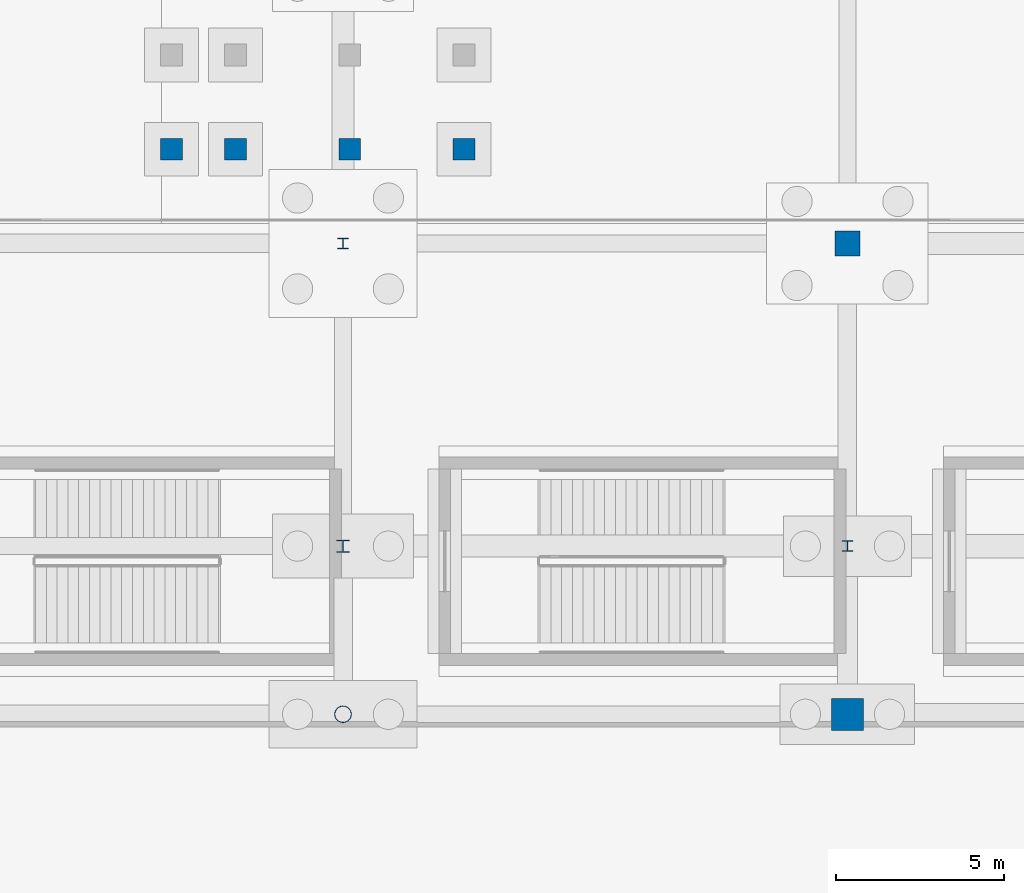
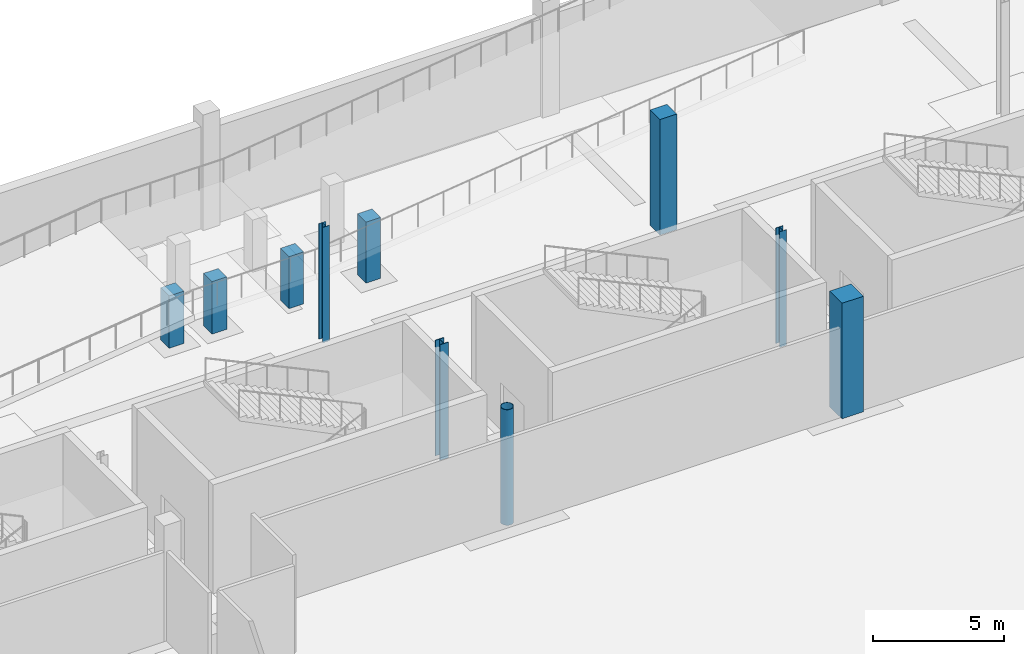
# One storey, part 23 of 58: 10 columns.
"""IFC4 building model written with IfcOpenShell, lengths in metres."""

from ifc_helpers import new_model, si_unit, direction, frame, origin, origin_2d, place, context, subcontext, project, spatial, rectangle, hollow_circle, i_section, extrude, material, material_profile, profile_set, type_object, element, save


model = new_model("IFC4")

# Units and contexts
model_context = context("Model", 3, precision=1e-05, world=origin(), true_north=direction((0.0, 1.0)))
body_context = subcontext(model_context, "Body", "Model", "MODEL_VIEW")
ifc_project = project(units=[si_unit("LENGTHUNIT", "METRE"), si_unit("AREAUNIT", "SQUARE_METRE"), si_unit("VOLUMEUNIT", "CUBIC_METRE"), si_unit("PLANEANGLEUNIT", "RADIAN"), si_unit("MASSUNIT", "GRAM", prefix="KILO")], contexts=[model_context])

# Site, building, storey
site_placement = place(None, origin())
site = spatial("IfcSite", under=ifc_project, at=site_placement, CompositionType="ELEMENT")
building_placement = place(site_placement, origin())
building = spatial("IfcBuilding", under=site, at=building_placement, Name="Qamarlyn Nura Convention Centre", CompositionType="ELEMENT")
storey_placement = place(building_placement, frame((0.0, 0.0, -5.39990234375)))
storey = spatial("IfcBuildingStorey", under=building, at=storey_placement, Name="B01", CompositionType="ELEMENT", Elevation=-5.39990234375)

# Columns
ifc_material_1 = material(Name="Pearl-white PVDF steel ASTM A500 Grade C", Category="steel")
ifc_material_profile_1 = material_profile(ifc_material_1, hollow_circle(Radius=0.25390625, WallThickness=0.02001953125, at=origin_2d()), Name="CHS508X20")
ifc_profile_set_1 = profile_set([ifc_material_profile_1], Name="Pearl-white PVDF steel ASTM A500 Grade C")
column_type_1 = type_object("IfcColumnType", Name="COL-HALL-1", PredefinedType="COLUMN", material=ifc_profile_set_1)
column_1_placement = place(storey_placement, frame((45.0, 103.0, 0.0), z_axis=(0.0, 0.0, 1.0), x_axis=(1.0, 0.0, 0.0)))
element("IfcColumn", 1, at=column_1_placement, inside=storey, type_object=column_type_1, Name="B01 column 4/M", PredefinedType="COLUMN", context=body_context, shape_type="SweptSolid", body=[
    extrude(hollow_circle(Radius=0.25390625, WallThickness=0.02001953125, at=origin_2d()), origin(), (0.0, 0.0, 1.0), 5.39990234375),
])
ifc_material_2 = material(Name="Concrete C50/60", Category="concrete")
ifc_material_profile_2 = material_profile(ifc_material_2, rectangle(XDim=0.949951171875, YDim=0.949951171875, at=origin_2d()), Name="RC 950x950")
ifc_profile_set_2 = profile_set([ifc_material_profile_2], Name="Concrete C50/60")
column_type_2 = type_object("IfcColumnType", Name="COL-HALL-2", PredefinedType="COLUMN", material=ifc_profile_set_2)
column_2_placement = place(storey_placement, frame((60.0, 103.0, 0.0), z_axis=(0.0, 0.0, 1.0), x_axis=(1.0, 0.0, 0.0)))
element("IfcColumn", 2, at=column_2_placement, inside=storey, type_object=column_type_2, Name="B01 column 5/M", PredefinedType="COLUMN", context=body_context, shape_type="SweptSolid", body=[
    extrude(rectangle(XDim=0.949951171875, YDim=0.949951171875, at=origin_2d()), origin(), (0.0, 0.0, 1.0), 5.39990234375),
])
ifc_material_profile_3 = material_profile(ifc_material_2, rectangle(XDim=0.75, YDim=0.75, at=origin_2d()), Name="RC 750x750")
ifc_profile_set_3 = profile_set([ifc_material_profile_3], Name="Concrete C50/60")
column_type_3 = type_object("IfcColumnType", Name="COL-SUB-2", PredefinedType="COLUMN", material=ifc_profile_set_3)
column_3_placement = place(storey_placement, frame((60.0, 117.0, 0.0), z_axis=(0.0, 0.0, 1.0), x_axis=(1.0, 0.0, 0.0)))
element("IfcColumn", 3, at=column_3_placement, inside=storey, type_object=column_type_3, Name="B01 column 5/P", PredefinedType="COLUMN", context=body_context, shape_type="SweptSolid", body=[
    extrude(rectangle(XDim=0.75, YDim=0.75, at=origin_2d()), origin(), (0.0, 0.0, 1.0), 5.39990234375),
])
ifc_material_profile_4 = material_profile(ifc_material_2, rectangle(XDim=0.64990234375, YDim=0.64990234375, at=origin_2d()), Name="RC 650x650")
ifc_profile_set_4 = profile_set([ifc_material_profile_4], Name="Concrete C50/60")
column_type_4 = type_object("IfcColumnType", Name="COL-SUB-3", PredefinedType="COLUMN", material=ifc_profile_set_4)
for number, where, z_axis, x_axis, name in (
    (4, (39.89990234375, 119.800048828125, 0.0), (0.0, 0.0, 1.0), (1.0, 0.0, 0.0), "B01 vehicle ramp support column 1"),
    (5, (41.800048828125, 119.800048828125, 0.0), (0.0, 0.0, 1.0), (1.0, 0.0, 0.0), "B01 vehicle ramp support column 2"),
):
    element("IfcColumn", number, at=place(storey_placement, frame(where, z_axis=z_axis, x_axis=x_axis)), inside=storey, type_object=column_type_4, Name=name, PredefinedType="COLUMN", context=body_context, shape_type="SweptSolid", body=[
        extrude(rectangle(XDim=0.64990234375, YDim=0.64990234375, at=origin_2d()), origin(), (0.0, 0.0, 1.0), 2.449951171875),
    ])
column_4_placement = place(storey_placement, frame((45.199951171875, 119.800048828125, 0.0), z_axis=(0.0, 0.0, 1.0), x_axis=(1.0, 0.0, 0.0)))
element("IfcColumn", 6, at=column_4_placement, inside=storey, type_object=column_type_4, Name="B01 vehicle ramp support column 5", PredefinedType="COLUMN", context=body_context, shape_type="SweptSolid", body=[
    extrude(rectangle(XDim=0.64990234375, YDim=0.64990234375, at=origin_2d()), origin(), (0.0, 0.0, 1.0), 2.429931640625),
])
column_5_placement = place(storey_placement, frame((48.60009765625, 119.800048828125, 0.0), z_axis=(0.0, 0.0, 1.0), x_axis=(1.0, 0.0, 0.0)))
element("IfcColumn", 7, at=column_5_placement, inside=storey, type_object=column_type_4, Name="B01 vehicle ramp support column 7", PredefinedType="COLUMN", context=body_context, shape_type="SweptSolid", body=[
    extrude(rectangle(XDim=0.64990234375, YDim=0.64990234375, at=origin_2d()), origin(), (0.0, 0.0, 1.0), 2.849853515625),
])
ifc_material_3 = material(Name="Steel ASTM A992", Category="steel")
ifc_material_profile_5 = material_profile(ifc_material_3, i_section(OverallWidth=0.3740234375, OverallDepth=0.3720703125, WebThickness=0.016357421875, FlangeThickness=0.026123046875, FilletRadius=0.01611328125, at=origin_2d()), Name="W360X196")
ifc_profile_set_5 = profile_set([ifc_material_profile_5], Name="Steel ASTM A992")
column_type_5 = type_object("IfcColumnType", Name="COL-WING-2", PredefinedType="COLUMN", material=ifc_profile_set_5)
column_6_placement = place(storey_placement, frame((45.0, 108.0, 0.0), z_axis=(0.0, 0.0, 1.0), x_axis=(1.0, 0.0, 0.0)))
element("IfcColumn", 8, at=column_6_placement, inside=storey, type_object=column_type_5, Name="B01 column 4/N", PredefinedType="COLUMN", context=body_context, shape_type="SweptSolid", body=[
    extrude(i_section(OverallWidth=0.3740234375, OverallDepth=0.3720703125, WebThickness=0.016357421875, FlangeThickness=0.026123046875, FilletRadius=0.01611328125, at=origin_2d()), origin(), (0.0, 0.0, 1.0), 5.39990234375),
])
ifc_material_profile_6 = material_profile(ifc_material_3, i_section(OverallWidth=0.304931640625, OverallDepth=0.30810546875, WebThickness=0.010009765625, FlangeThickness=0.015380859375, FilletRadius=0.014892578125, at=origin_2d()), Name="W310X97")
ifc_profile_set_6 = profile_set([ifc_material_profile_6], Name="Steel ASTM A992")
column_type_6 = type_object("IfcColumnType", Name="COL-WING-4", PredefinedType="COLUMN", material=ifc_profile_set_6)
for number, where, z_axis, x_axis, name in (
    (9, (45.0, 117.0, 0.0), (0.0, 0.0, 1.0), (1.0, 0.0, 0.0), "B01 column 4/P"),
    (10, (60.0, 108.0, 0.0), (0.0, 0.0, 1.0), (1.0, 0.0, 0.0), "B01 column 5/N"),
):
    element("IfcColumn", number, at=place(storey_placement, frame(where, z_axis=z_axis, x_axis=x_axis)), inside=storey, type_object=column_type_6, Name=name, PredefinedType="COLUMN", context=body_context, shape_type="SweptSolid", body=[
        extrude(i_section(OverallWidth=0.304931640625, OverallDepth=0.30810546875, WebThickness=0.010009765625, FlangeThickness=0.015380859375, FilletRadius=0.014892578125, at=origin_2d()), origin(), (0.0, 0.0, 1.0), 5.39990234375),
    ])

save(model, "model.ifc")
